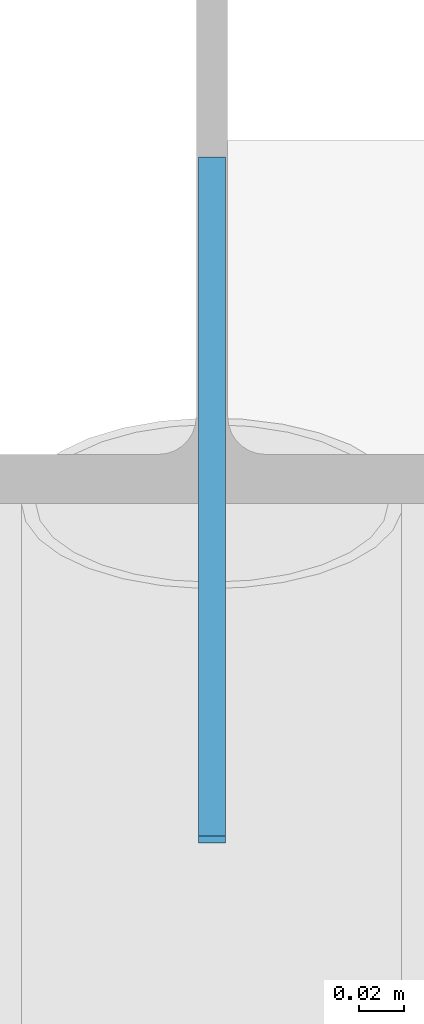
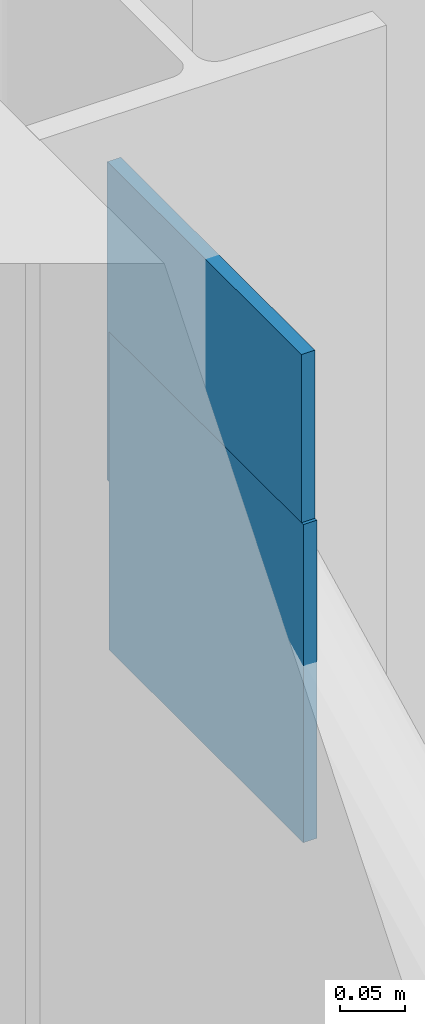
# One storey, part 61 of 74: 2 discrete accessories.
"""IFC4 building model written with IfcOpenShell, lengths in metres."""

import ifcopenshell
import ifcopenshell.guid

model = None  # the IFC model being written
_history = None  # IfcOwnerHistory: only IFC2X3 demands one
_inside = {}  # id of a spatial element -> (the spatial element, [elements in it])
_under = {}  # id of a project, library or spatial element -> (it, [spatial elements below it])
_declared = {}  # id of a project -> (the project, [libraries it declares])
_typed = {}  # id of a type object -> (the type object, [elements of that type])
_made_of = {}  # id of a material, layer set ... -> (it, [elements and type objects made of it])


def new_model(schema):
    """Start an empty IFC model of exactly this schema.

    Asked for "IFC4X3", IfcOpenShell would pick the latest addendum, in which some entities
    have other attributes; the version numbers below select the first issue.
    IFC2X3 requires an IfcOwnerHistory on every rooted entity: one is made here for all.
    """
    global model, _history
    if schema == "IFC4X3":
        model = ifcopenshell.file(schema_version=(4, 3, 0, 0))
    else:
        model = ifcopenshell.file(schema=schema)
    _inside.clear()
    _under.clear()
    _declared.clear()
    _typed.clear()
    _made_of.clear()
    _history = None
    if model.schema == "IFC2X3":
        org = make("IfcOrganization", Name="unknown")
        user = make(
            "IfcPersonAndOrganization",
            ThePerson=make("IfcPerson", FamilyName="unknown"),
            TheOrganization=org,
        )
        app = make(
            "IfcApplication",
            ApplicationDeveloper=org,
            Version="unknown",
            ApplicationFullName="unknown",
            ApplicationIdentifier="unknown",
        )
        _history = make(
            "IfcOwnerHistory",
            OwningUser=user,
            OwningApplication=app,
            ChangeAction="ADDED",
            CreationDate=0,
        )
    return model


def make(cls, **values):
    """One entity of the class cls with the attributes given. An attribute that is None is left unset."""
    return model.create_entity(
        cls, **{name: value for name, value in values.items() if value is not None}
    )


def rooted(cls, **values):
    """An entity with a GlobalId (a new one), such as an element, a storey or a relation."""
    return make(cls, GlobalId=ifcopenshell.guid.new(), OwnerHistory=_history, **values)


def si_unit(unit_type, name, prefix=None):
    """IfcSIUnit, for example si_unit("LENGTHUNIT", "METRE", prefix="MILLI")."""
    return make("IfcSIUnit", UnitType=unit_type, Prefix=prefix, Name=name)


def assignment(units):
    """IfcUnitAssignment: the units of a project."""
    return None if units is None else make("IfcUnitAssignment", Units=units)


def point(xyz):
    """IfcCartesianPoint."""
    return None if xyz is None else make("IfcCartesianPoint", Coordinates=xyz)


def direction(xyz):
    """IfcDirection."""
    return None if xyz is None else make("IfcDirection", DirectionRatios=xyz)


def frame(location, z_axis=None, x_axis=None):
    """IfcAxis2Placement3D, a coordinate frame: its origin and axes. An axis left out is left unset."""
    return make(
        "IfcAxis2Placement3D",
        Location=point(location),
        Axis=direction(z_axis),
        RefDirection=direction(x_axis),
    )


def frame_2d(location, x_axis=None):
    """IfcAxis2Placement2D, a coordinate frame in the plane: its origin and x axis."""
    return make(
        "IfcAxis2Placement2D", Location=point(location), RefDirection=direction(x_axis)
    )


def origin():
    """The frame at (0, 0, 0) with its axes left unset."""
    return frame((0.0, 0.0, 0.0))


def origin_2d():
    """The frame at (0, 0) in the plane with its x axis left unset."""
    return frame_2d((0.0, 0.0))


def place(relative_to, where):
    """IfcLocalPlacement: puts the frame where relative to a parent placement (None: the world)."""
    return make(
        "IfcLocalPlacement", PlacementRelTo=relative_to, RelativePlacement=where
    )


def context(
    kind, dimensions, precision=None, world=None, true_north=None, identifier=None
):
    """IfcGeometricRepresentationContext, for example the 3D "Model" context."""
    return make(
        "IfcGeometricRepresentationContext",
        ContextIdentifier=identifier,
        ContextType=kind,
        CoordinateSpaceDimension=dimensions,
        Precision=precision,
        WorldCoordinateSystem=world,
        TrueNorth=true_north,
    )


def subcontext(parent, identifier, kind, view, scale=None):
    """IfcGeometricRepresentationSubContext, for example "Body" below "Model"."""
    return make(
        "IfcGeometricRepresentationSubContext",
        ContextIdentifier=identifier,
        ContextType=kind,
        ParentContext=parent,
        TargetScale=scale,
        TargetView=view,
    )


def project(units=None, contexts=None):
    """IfcProject with its units and contexts."""
    return rooted(
        "IfcProject",
        Name="project",
        RepresentationContexts=contexts,
        UnitsInContext=assignment(units),
    )


def spatial(cls, under=None, at=None, **own):
    """A site, building, storey or space (cls), placed at a placement, below another one or the project."""
    s = rooted(cls, ObjectPlacement=at, **own)
    if under is not None:
        _under.setdefault(under.id(), (under, []))[1].append(s)
    return s


def profile(cls, at=None, kind="AREA", **sizes):
    """A parametric profile (cls). Its sizes go by their IFC names, for example OverallWidth=200.0."""
    return make(cls, ProfileType=kind, Position=at, **sizes)


def rectangle(**sizes):
    """IfcRectangleProfileDef."""
    return profile("IfcRectangleProfileDef", **sizes)


def extrude(swept, where, along, depth):
    """IfcExtrudedAreaSolid: the profile swept, set in the frame where, extruded along a direction by depth."""
    return make(
        "IfcExtrudedAreaSolid",
        SweptArea=swept,
        Position=where,
        ExtrudedDirection=direction(along),
        Depth=depth,
    )


def shape(context_of_items, identifier, shape_type, items):
    """IfcShapeRepresentation: the items that make up one representation, for example the "Body"."""
    return make(
        "IfcShapeRepresentation",
        ContextOfItems=context_of_items,
        RepresentationIdentifier=identifier,
        RepresentationType=shape_type,
        Items=items,
    )


def material(Name=None, Category=None):
    """IfcMaterial."""
    return make("IfcMaterial", Name=Name, Category=Category)


def made_of(thing, what):
    """Note that an element or type object is made of a material, layer set ...; save() writes the relation."""
    if what is not None:
        _made_of.setdefault(what.id(), (what, []))[1].append(thing)
    return thing


def type_object(cls, material=None, **own):
    """A type object (cls), such as IfcWallType, which elements share."""
    return made_of(rooted(cls, **own), material)


def element(
    cls,
    number,
    at=None,
    inside=None,
    cuts=None,
    type_object=None,
    material=None,
    context=None,
    identifier="Body",
    shape_type=None,
    held_by="IfcProductDefinitionShape",
    body=None,
    shapes=None,
    **own,
):
    """One element of the class cls, such as IfcWall. Its Tag is "e" and its number.

    at: its placement. inside: the storey or other place that contains it. cuts: it is an
    opening in that element (IfcRelVoidsElement). A single representation is given by context,
    identifier, shape_type and body (its items); several are given by shapes. held_by: the class
    of the entity that holds the representations. save() writes the other relations.
    """
    e = rooted(cls, Tag="e%d" % number, ObjectPlacement=at, **own)
    if body is not None:
        shapes = [shape(context, identifier, shape_type, body)]
    if shapes is not None:
        e.Representation = make(held_by, Representations=shapes)
    if inside is not None:
        _inside.setdefault(inside.id(), (inside, []))[1].append(e)
    if cuts is not None:
        rooted(
            "IfcRelVoidsElement", RelatingBuildingElement=cuts, RelatedOpeningElement=e
        )
    if type_object is not None:
        _typed.setdefault(type_object.id(), (type_object, []))[1].append(e)
    return made_of(e, material)


def aggregate(whole, parts):
    """IfcRelAggregates: a whole, such as a stair, and the parts it consists of."""
    return rooted("IfcRelAggregates", RelatingObject=whole, RelatedObjects=parts)


def save(model, path):
    """Write the relations noted so far, then the file.

    IfcRelAggregates (storeys below a building ...), IfcRelContainedInSpatialStructure (elements
    in a storey), IfcRelDefinesByType, IfcRelAssociatesMaterial and IfcRelDeclares: one each for
    every whole, place, type object, material and project.
    """
    for whole, parts in _under.values():
        aggregate(whole, parts)
    for where, things in _inside.values():
        rooted(
            "IfcRelContainedInSpatialStructure",
            RelatedElements=things,
            RelatingStructure=where,
        )
    for kind, things in _typed.values():
        rooted("IfcRelDefinesByType", RelatedObjects=things, RelatingType=kind)
    for what, things in _made_of.values():
        rooted("IfcRelAssociatesMaterial", RelatedObjects=things, RelatingMaterial=what)
    for by, libraries in _declared.values():
        rooted("IfcRelDeclares", RelatingContext=by, RelatedDefinitions=libraries)
    model.write(path)


model = new_model("IFC4")

# Units and contexts
model_context = context("Model", 3, precision=1e-05, world=origin(), true_north=direction((0.0, 1.0)))
body_context = subcontext(model_context, "Body", "Model", "MODEL_VIEW")
ifc_project = project(units=[si_unit("LENGTHUNIT", "METRE"), si_unit("AREAUNIT", "SQUARE_METRE"), si_unit("VOLUMEUNIT", "CUBIC_METRE"), si_unit("PLANEANGLEUNIT", "RADIAN"), si_unit("MASSUNIT", "GRAM", prefix="KILO")], contexts=[model_context])

# Site, building, storey
site_placement = place(None, origin())
site = spatial("IfcSite", under=ifc_project, at=site_placement, CompositionType="ELEMENT")
building_placement = place(site_placement, origin())
building = spatial("IfcBuilding", under=site, at=building_placement, Name="Hortulan Conservatory and Botanical Research Centre", CompositionType="ELEMENT")
storey_placement = place(building_placement, frame((0.0, 0.0, 6.0)))
storey = spatial("IfcBuildingStorey", under=building, at=storey_placement, Name="L01", CompositionType="ELEMENT", Elevation=6.0)

# Discrete accessories
ifc_material = material(Name="Steel Grade 300 plate (AS/NZS 3678, 280 MPa minimum yield)", Category="steel")
discrete_accessory_type = type_object("IfcDiscreteAccessoryType", Name="End Plate 300x12", PredefinedType="BRACKET", material=ifc_material)
for number, where, z_axis, x_axis, name in (
    (1, (0.0, 71.839599609375, 3.8759765625), (0.0, 0.0, 1.0), (0.0, -1.0, 0.0), "Brace end plate"),
    (2, (0.0, 71.842529296875, 4.03466796875), (0.0, 0.0, 1.0), (0.0, -1.0, 0.0), "Brace end plate"),
):
    element("IfcDiscreteAccessory", number, at=place(storey_placement, frame(where, z_axis=z_axis, x_axis=x_axis)), inside=storey, type_object=discrete_accessory_type, Name=name, PredefinedType="BRACKET", context=body_context, shape_type="SweptSolid", body=[
        extrude(rectangle(XDim=0.300048828125, YDim=0.011962890625, at=origin_2d()), origin(), (0.0, 0.0, 1.0), 0.300048828125),
    ])

save(model, "model.ifc")
